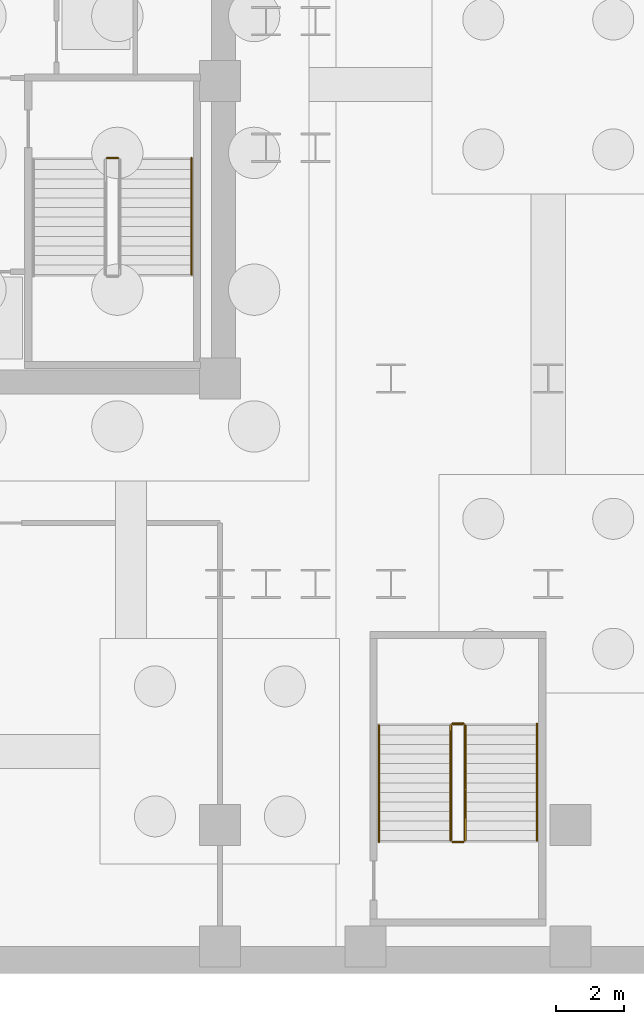
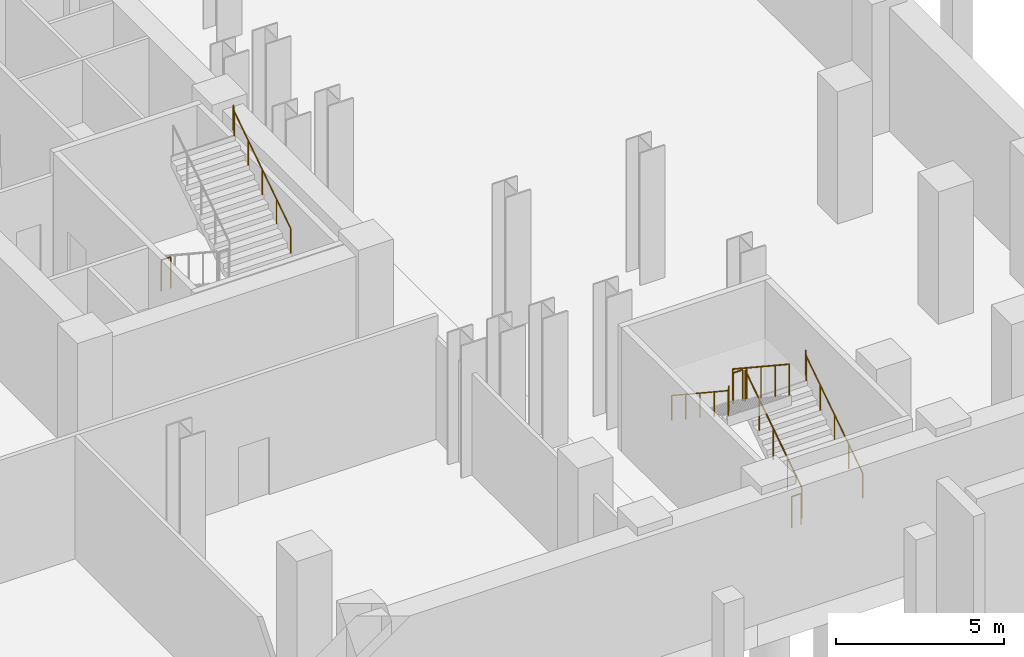
# One storey, part 9 of 10: 8 railings.
"""IFC4 building model written with IfcOpenShell, lengths in metres."""

from ifc_helpers import new_model, si_unit, direction, frame, origin, origin_2d, place, context, subcontext, project, spatial, circle, extrude, material, type_object, element, save


model = new_model("IFC4")

# Units and contexts
model_context = context("Model", 3, precision=1e-05, world=origin(), true_north=direction((0.0, 1.0)))
body_context = subcontext(model_context, "Body", "Model", "MODEL_VIEW")
ifc_project = project(units=[si_unit("LENGTHUNIT", "METRE"), si_unit("AREAUNIT", "SQUARE_METRE"), si_unit("VOLUMEUNIT", "CUBIC_METRE"), si_unit("PLANEANGLEUNIT", "RADIAN"), si_unit("MASSUNIT", "GRAM", prefix="KILO")], contexts=[model_context])

# Site, building, storey
site_placement = place(None, origin())
site = spatial("IfcSite", under=ifc_project, at=site_placement, CompositionType="ELEMENT")
building_placement = place(site_placement, origin())
building = spatial("IfcBuilding", under=site, at=building_placement, Name="Velakula Bourse", CompositionType="ELEMENT")
storey_placement = place(building_placement, frame((0.0, 0.0, -9.60009765625)))
storey = spatial("IfcBuildingStorey", under=building, at=storey_placement, Name="B02", CompositionType="ELEMENT", Elevation=-9.60009765625)

# Railings
ifc_material = material(Name="Brushed grade 316 stainless steel", Category="steel")
railing_type_1 = type_object("IfcRailingType", Name="RLG-STAIR-GUARD-1150", PredefinedType="BALUSTRADE", material=ifc_material)
railing_1_placement = place(storey_placement, frame((15.298095703125, -2.14990234375, 0.0)))
element("IfcRailing", 1, at=railing_1_placement, inside=storey, type_object=railing_type_1, Name="B02 ST-E1 stair guard 4", PredefinedType="BALUSTRADE", context=body_context, shape_type="SweptSolid", body=[
    extrude(circle(Radius=0.02490234375, at=origin_2d()), frame((0.0, 0.0, 1.125), z_axis=(1.0, 0.0, 0.0), x_axis=(0.0, 1.0, 0.0)), (0.0, 0.0, 1.0), 0.323974609375),
    extrude(circle(Radius=0.02099609375, at=origin_2d()), origin(), (0.0, 0.0, 1.0), 1.099853515625),
    extrude(circle(Radius=0.02099609375, at=origin_2d()), frame((0.323974609375, 0.0, 0.0)), (0.0, 0.0, 1.0), 1.099853515625),
])
railing_2_placement = place(storey_placement, frame((25.77197265625, -22.10009765625, 0.184814453125)))
element("IfcRailing", 2, at=railing_2_placement, inside=storey, type_object=railing_type_1, Name="B02 ST-P2 stair guard 1", PredefinedType="BALUSTRADE", context=body_context, shape_type="SweptSolid", body=[
    extrude(circle(Radius=0.02490234375, at=origin_2d()), frame((0.0, 0.0, 1.125), z_axis=(0.0, 0.834876476806, 0.550437342915), x_axis=(-1.0, 0.0, 0.0)), (0.0, 0.0, 1.0), 4.024658203125),
    extrude(circle(Radius=0.02099609375, at=origin_2d()), origin(), (0.0, 0.0, 1.0), 1.099853515625),
    extrude(circle(Radius=0.02099609375, at=origin_2d()), frame((0.0, 0.840087890625, 0.5537109375)), (0.0, 0.0, 1.0), 1.099853515625),
    extrude(circle(Radius=0.02099609375, at=origin_2d()), frame((0.0, 1.68017578125, 1.107666015625)), (0.0, 0.0, 1.0), 1.099853515625),
    extrude(circle(Radius=0.02099609375, at=origin_2d()), frame((0.0, 2.52001953125, 1.66162109375)), (0.0, 0.0, 1.0), 1.099853515625),
    extrude(circle(Radius=0.02099609375, at=origin_2d()), frame((0.0, 3.360107421875, 2.21533203125)), (0.0, 0.0, 1.0), 1.099853515625),
])
railing_3_placement = place(storey_placement, frame((25.721923828125, -18.68994140625, 2.400146484375)))
element("IfcRailing", 3, at=railing_3_placement, inside=storey, type_object=railing_type_1, Name="B02 ST-P2 stair guard 2", PredefinedType="BALUSTRADE", context=body_context, shape_type="SweptSolid", body=[
    extrude(circle(Radius=0.02490234375, at=origin_2d()), frame((0.0, 0.0, 1.125), z_axis=(-1.0, 0.0, 0.0), x_axis=(0.0, -1.0, 0.0)), (0.0, 0.0, 1.0), 0.323974609375),
    extrude(circle(Radius=0.02099609375, at=origin_2d()), origin(), (0.0, 0.0, 1.0), 1.099853515625),
    extrude(circle(Radius=0.02099609375, at=origin_2d()), frame((-0.323974609375, 0.0, 0.0)), (0.0, 0.0, 1.0), 1.099853515625),
])
railing_4_placement = place(storey_placement, frame((25.347900390625, -18.739990234375, 2.584716796875)))
element("IfcRailing", 4, at=railing_4_placement, inside=storey, type_object=railing_type_1, Name="B02 ST-P2 stair guard 3", PredefinedType="BALUSTRADE", context=body_context, shape_type="SweptSolid", body=[
    extrude(circle(Radius=0.02490234375, at=origin_2d()), frame((0.0, 0.0, 1.125), z_axis=(0.0, -0.834876476806, 0.550437342915), x_axis=(1.0, 0.0, 0.0)), (0.0, 0.0, 1.0), 4.024658203125),
    extrude(circle(Radius=0.02099609375, at=origin_2d()), origin(), (0.0, 0.0, 1.0), 1.099853515625),
    extrude(circle(Radius=0.02099609375, at=origin_2d()), frame((0.0, -0.840087890625, 0.5537109375)), (0.0, 0.0, 1.0), 1.099853515625),
    extrude(circle(Radius=0.02099609375, at=origin_2d()), frame((0.0, -1.68017578125, 1.107666015625)), (0.0, 0.0, 1.0), 1.099853515625),
    extrude(circle(Radius=0.02099609375, at=origin_2d()), frame((0.0, -2.52001953125, 1.66162109375)), (0.0, 0.0, 1.0), 1.099853515625),
    extrude(circle(Radius=0.02099609375, at=origin_2d()), frame((0.0, -3.360107421875, 2.21533203125)), (0.0, 0.0, 1.0), 1.099853515625),
])
railing_5_placement = place(storey_placement, frame((25.721923828125, -22.14990234375, 0.0)))
element("IfcRailing", 5, at=railing_5_placement, inside=storey, type_object=railing_type_1, Name="B02 ST-P2 stair guard 4", PredefinedType="BALUSTRADE", context=body_context, shape_type="SweptSolid", body=[
    extrude(circle(Radius=0.02490234375, at=origin_2d()), frame((0.0, 0.0, 1.125), z_axis=(-1.0, 0.0, 0.0), x_axis=(0.0, -1.0, 0.0)), (0.0, 0.0, 1.0), 0.323974609375),
    extrude(circle(Radius=0.02099609375, at=origin_2d()), origin(), (0.0, 0.0, 1.0), 1.099853515625),
    extrude(circle(Radius=0.02099609375, at=origin_2d()), frame((-0.323974609375, 0.0, 0.0)), (0.0, 0.0, 1.0), 1.099853515625),
])
railing_type_2 = type_object("IfcRailingType", Name="RLG-STAIR-HAND-920", PredefinedType="HANDRAIL", material=ifc_material)
for number, where, name in (
    (6, (17.77001953125, -5.56005859375, 2.584716796875), "B02 ST-E1 stair handrail 2"),
    (7, (27.8701171875, -22.10009765625, 0.184814453125), "B02 ST-P2 stair handrail 1"),
):
    element("IfcRailing", number, at=place(storey_placement, frame(where)), inside=storey, type_object=railing_type_2, Name=name, PredefinedType="HANDRAIL", context=body_context, shape_type="SweptSolid", body=[
        extrude(circle(Radius=0.02099609375, at=origin_2d()), frame((0.0, 0.0, 0.89892578125), z_axis=(0.0, 0.834876476806, 0.550437342915), x_axis=(-1.0, 0.0, 0.0)), (0.0, 0.0, 1.0), 4.024658203125),
        extrude(circle(Radius=0.02099609375, at=origin_2d()), frame((0.0, 3.360107421875, 3.1142578125), z_axis=(0.0, 0.212000284517, 0.977269604237), x_axis=(-1.0, 0.0, 0.0)), (0.0, 0.0, 1.0), 0.18896484375),
        extrude(circle(Radius=0.02099609375, at=origin_2d()), frame((0.0, 3.400146484375, 3.298828125), z_axis=(0.0, 1.0, 0.0), x_axis=(-1.0, 0.0, 0.0)), (0.0, 0.0, 1.0), 0.0048828125),
        extrude(circle(Radius=0.02099609375, at=origin_2d()), origin(), (0.0, 0.0, 1.0), 0.8779296875),
        extrude(circle(Radius=0.02099609375, at=origin_2d()), frame((0.0, 0.840087890625, 0.5537109375)), (0.0, 0.0, 1.0), 0.8779296875),
        extrude(circle(Radius=0.02099609375, at=origin_2d()), frame((0.0, 1.68017578125, 1.107666015625)), (0.0, 0.0, 1.0), 0.8779296875),
        extrude(circle(Radius=0.02099609375, at=origin_2d()), frame((0.0, 2.52001953125, 1.66162109375)), (0.0, 0.0, 1.0), 0.8779296875),
        extrude(circle(Radius=0.02099609375, at=origin_2d()), frame((0.0, 3.360107421875, 2.21533203125)), (0.0, 0.0, 1.0), 0.8779296875),
        extrude(circle(Radius=0.02099609375, at=origin_2d()), frame((0.0, 3.400146484375, 2.39990234375)), (0.0, 0.0, 1.0), 0.8779296875),
        extrude(circle(Radius=0.02099609375, at=origin_2d()), frame((0.0, 3.405029296875, 2.39990234375)), (0.0, 0.0, 1.0), 0.8779296875),
    ])
railing_6_placement = place(storey_placement, frame((23.25, -18.739990234375, 2.584716796875)))
element("IfcRailing", 8, at=railing_6_placement, inside=storey, type_object=railing_type_2, Name="B02 ST-P2 stair handrail 2", PredefinedType="HANDRAIL", context=body_context, shape_type="SweptSolid", body=[
    extrude(circle(Radius=0.02099609375, at=origin_2d()), frame((0.0, 0.0, 0.89892578125), z_axis=(0.0, -0.834876476806, 0.550437342915), x_axis=(1.0, 0.0, 0.0)), (0.0, 0.0, 1.0), 4.024658203125),
    extrude(circle(Radius=0.02099609375, at=origin_2d()), frame((0.0, -3.360107421875, 3.1142578125), z_axis=(0.0, -0.210765191725, 0.977536717447), x_axis=(1.0, 0.0, 0.0)), (0.0, 0.0, 1.0), 0.188720703125),
    extrude(circle(Radius=0.02099609375, at=origin_2d()), frame((0.0, -3.39990234375, 3.298828125), z_axis=(0.0, -1.0, 0.0), x_axis=(1.0, 0.0, 0.0)), (0.0, 0.0, 1.0), 0.005126953125),
    extrude(circle(Radius=0.02099609375, at=origin_2d()), origin(), (0.0, 0.0, 1.0), 0.8779296875),
    extrude(circle(Radius=0.02099609375, at=origin_2d()), frame((0.0, -0.840087890625, 0.5537109375)), (0.0, 0.0, 1.0), 0.8779296875),
    extrude(circle(Radius=0.02099609375, at=origin_2d()), frame((0.0, -1.68017578125, 1.107666015625)), (0.0, 0.0, 1.0), 0.8779296875),
    extrude(circle(Radius=0.02099609375, at=origin_2d()), frame((0.0, -2.52001953125, 1.66162109375)), (0.0, 0.0, 1.0), 0.8779296875),
    extrude(circle(Radius=0.02099609375, at=origin_2d()), frame((0.0, -3.360107421875, 2.21533203125)), (0.0, 0.0, 1.0), 0.8779296875),
    extrude(circle(Radius=0.02099609375, at=origin_2d()), frame((0.0, -3.39990234375, 2.39990234375)), (0.0, 0.0, 1.0), 0.8779296875),
    extrude(circle(Radius=0.02099609375, at=origin_2d()), frame((0.0, -3.405029296875, 2.39990234375)), (0.0, 0.0, 1.0), 0.8779296875),
])

save(model, "model.ifc")
